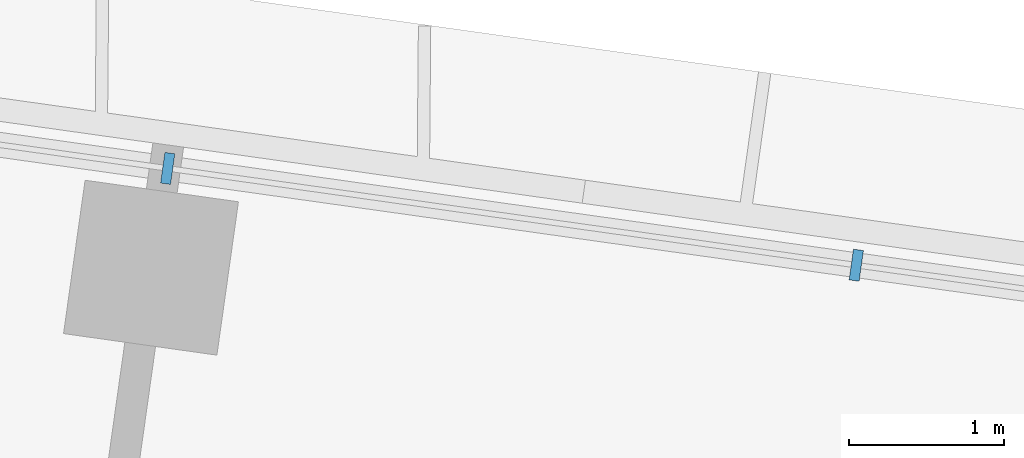
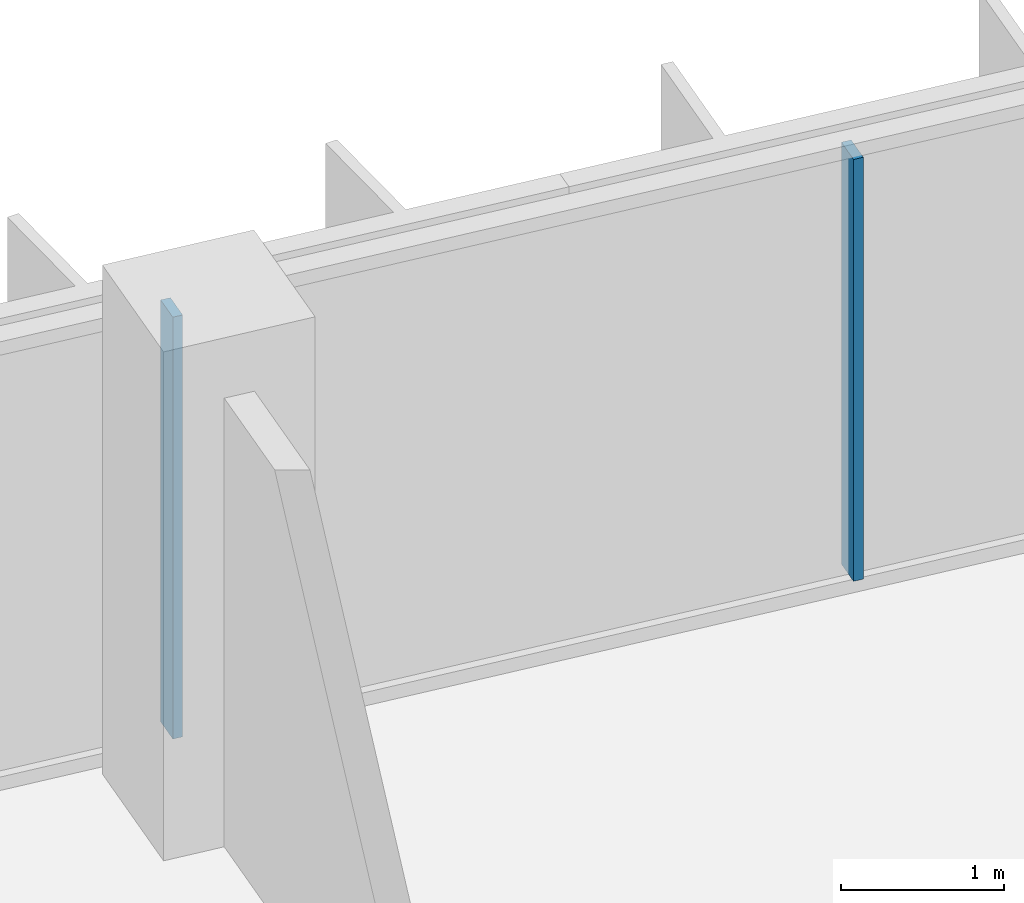
# One storey, part 3 of 24: 2 members, 1 element without a shape of its own.
"""IFC4 building model written with IfcOpenShell, lengths in metres."""

from ifc_helpers import new_model, si_unit, direction, frame, origin, origin_2d, place, context, subcontext, project, spatial, rectangle, extrude, material, material_profile, profile_set, type_object, element, aggregate, save


model = new_model("IFC4")

# Units and contexts
model_context = context("Model", 3, precision=1e-05, world=origin(), true_north=direction((0.0, 1.0)))
body_context = subcontext(model_context, "Body", "Model", "MODEL_VIEW")
ifc_project = project(units=[si_unit("LENGTHUNIT", "METRE"), si_unit("AREAUNIT", "SQUARE_METRE"), si_unit("VOLUMEUNIT", "CUBIC_METRE"), si_unit("PLANEANGLEUNIT", "RADIAN"), si_unit("MASSUNIT", "GRAM", prefix="KILO")], contexts=[model_context])

# Site, building, storey
site_placement = place(None, origin())
site = spatial("IfcSite", under=ifc_project, at=site_placement, CompositionType="ELEMENT")
building_placement = place(site_placement, origin())
building = spatial("IfcBuilding", under=site, at=building_placement, Name="Mirante Cascada Hotel Towers", CompositionType="ELEMENT")
storey_placement = place(building_placement, frame((0.0, 0.0, 43.3)))
storey = spatial("IfcBuildingStorey", under=building, at=storey_placement, Name="L07", CompositionType="ELEMENT", Elevation=43.3)

# Curtain wall, members
ifc_material_1 = material(Name="Aluminium mullion and transom frame with clear laminated glass", Category="aluminium")
curtain_wall_type = type_object("IfcCurtainWallType", Name="Ribbon curtain wall ECW1", PredefinedType="NOTDEFINED", material=ifc_material_1)
curtain_wall_placement = place(storey_placement, origin())
curtain_wall = element("IfcCurtainWall", 1, at=curtain_wall_placement, inside=storey, type_object=curtain_wall_type, Name="Front ribbon wall T1 L07", PredefinedType="NOTDEFINED")
ifc_material_2 = material(Name="Anodised aluminium extrusion", Category="aluminium")
ifc_material_profile = material_profile(ifc_material_2, rectangle(XDim=0.2, YDim=0.065, at=origin_2d()), Name="ECW1 MULLION 65x200")
ifc_profile_set = profile_set([ifc_material_profile], Name="Anodised aluminium extrusion")
member_type = type_object("IfcMemberType", Name="ECW1 mullion 65x200", PredefinedType="MULLION", material=ifc_profile_set)
member_1_placement = place(storey_placement, frame((-71.9211, 22.9269, 0.1), z_axis=(0.0, 0.0, 1.0), x_axis=(0.1391731, 0.9902681, 0.0)))
member_1 = element("IfcMember", 2, at=member_1_placement, type_object=member_type, Name="ECW1 mullion 6", PredefinedType="MULLION", context=body_context, shape_type="SweptSolid", body=[
    extrude(rectangle(XDim=0.2, YDim=0.065, at=origin_2d()), origin(), (0.0, 0.0, 1.0), 3.15),
])
member_2_placement = place(storey_placement, frame((-67.4737, 22.3018, 0.1), z_axis=(0.0, 0.0, 1.0), x_axis=(0.1391731, 0.9902681, 0.0)))
member_2 = element("IfcMember", 3, at=member_2_placement, type_object=member_type, Name="ECW1 mullion 7", PredefinedType="MULLION", context=body_context, shape_type="SweptSolid", body=[
    extrude(rectangle(XDim=0.2, YDim=0.065, at=origin_2d()), origin(), (0.0, 0.0, 1.0), 3.15),
])
aggregate(curtain_wall, [member_1, member_2])

save(model, "model.ifc")
